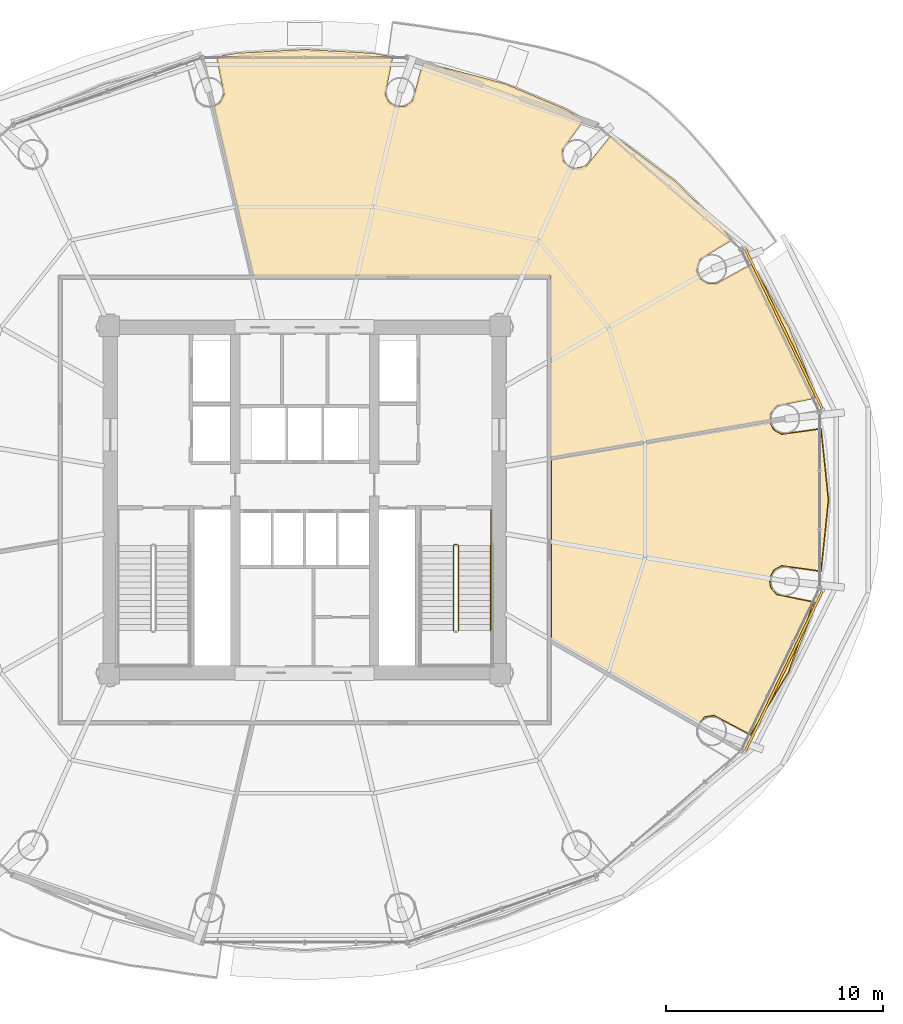
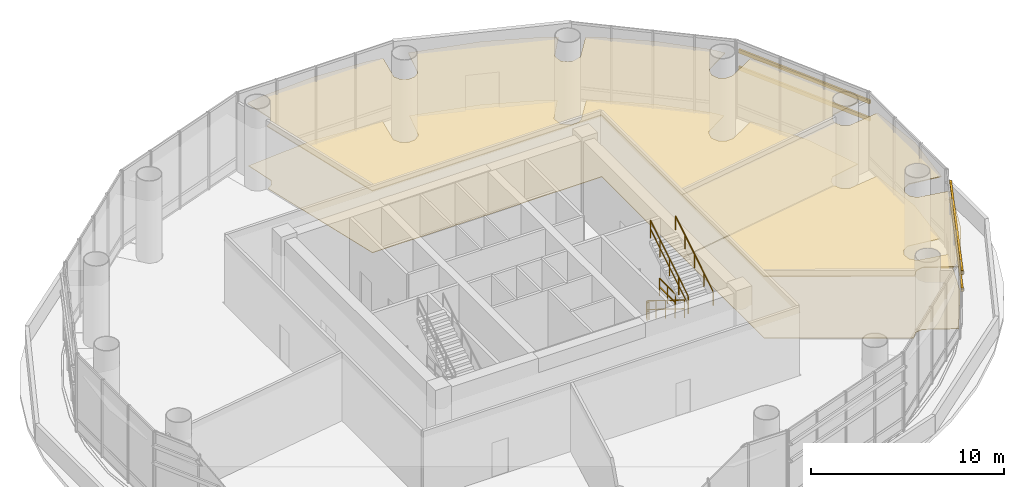
# One storey, part 28 of 29: 5 railings, 4 coverings, 4 shading devices.
"""IFC4 building model written with IfcOpenShell, lengths in metres."""

from ifc_helpers import new_model, si_unit, direction, frame, origin, origin_2d, place, context, subcontext, project, spatial, polyline, rectangle, hollow_rectangle, outline, extrude, source, transform, mapped, material, layer, layer_set, material_profile, profile_set, type_object, element, save


model = new_model("IFC4")

# Units and contexts
model_context = context("Model", 3, precision=1e-05, world=origin(), true_north=direction((-0.2419218956, 0.970295726276)))
body_context = subcontext(model_context, "Body", "Model", "MODEL_VIEW")
ifc_project = project(units=[si_unit("LENGTHUNIT", "METRE"), si_unit("AREAUNIT", "SQUARE_METRE"), si_unit("VOLUMEUNIT", "CUBIC_METRE"), si_unit("PLANEANGLEUNIT", "RADIAN"), si_unit("MASSUNIT", "GRAM", prefix="KILO")], contexts=[model_context])

# Site, building, storey
site_placement = place(None, origin())
site = spatial("IfcSite", under=ifc_project, at=site_placement, CompositionType="ELEMENT")
building_placement = place(site_placement, origin())
building = spatial("IfcBuilding", under=site, at=building_placement, Name="Cobrevalo Terracotta Tower", CompositionType="ELEMENT")
storey_placement = place(building_placement, frame((0.0, 0.0, 130.199951171875)))
storey = spatial("IfcBuildingStorey", under=building, at=storey_placement, Name="L34", CompositionType="ELEMENT", Elevation=130.199951171875)

# Coverings
ifc_material_1 = material(Name="Honed terracotta and granite tile", Category="masonry")
ifc_layer_1 = layer(ifc_material_1, 0.034912109375)
ifc_layer_set_1 = layer_set([ifc_layer_1], Name="Honed terracotta and granite tile")
covering_type_1 = type_object("IfcCoveringType", Name="Honed Terracotta & Granite Interior Flooring 35", PredefinedType="FLOORING", material=ifc_layer_set_1)
covering_1_placement = place(storey_placement, origin())
element("IfcCovering", 1, at=covering_1_placement, inside=storey, type_object=covering_type_1, Name="L34 Sky Transfer Lounge floor finish", PredefinedType="FLOORING", context=body_context, shape_type="SweptSolid", body=[
    extrude(outline(polyline([(38.0, 47.5), (42.012451171875, 47.1748046875), (41.6689453125, 45.462158203125), (41.858642578125, 45.07666015625), (42.23046875, 44.861328125), (42.6591796875, 44.88916015625), (43.00048828125, 45.150390625), (43.473876953125, 46.925048828125), (47.2236328125, 45.923828125), (50.051025390625, 44.72607421875), (50.81689453125, 44.286376953125), (49.815673828125, 42.9228515625), (49.8828125, 42.3603515625), (50.327880859375, 42.01025390625), (50.757568359375, 42.01904296875), (51.00927734375, 42.160400390625), (52.1142578125, 43.541748046875), (52.67236328125, 43.2216796875), (55.042236328125, 41.43603515625), (57.12060546875, 39.400146484375), (57.606201171875, 38.776123046875), (56.165771484375, 37.89404296875), (56.01513671875, 37.34814453125), (56.189697265625, 36.955322265625), (56.552734375, 36.725830078125), (56.982177734375, 36.736572265625), (58.5244140625, 37.595458984375), (58.871826171875, 37.14892578125), (60.265869140625, 34.720458984375), (61.42919921875, 31.508056640625), (59.7236328125, 31.1630859375), (59.44140625, 30.8388671875), (59.382568359375, 30.47607421875), (49.35498046875, 28.76171875), (49.35498046875, 37.155029296875), (35.6240234375, 37.155029296875), (33.83544921875, 44.8837890625), (34.141357421875, 45.07666015625), (34.3310546875, 45.462158203125), (33.987548828125, 47.1748046875), (38.0, 47.5)])), origin(), (0.0, 0.0, 1.0), 0.030029296875),
])
covering_2_placement = place(storey_placement, origin())
element("IfcCovering", 2, at=covering_2_placement, inside=storey, type_object=covering_type_1, Name="L34 Concierge Pantry Store floor finish", PredefinedType="FLOORING", context=body_context, shape_type="SweptSolid", body=[
    extrude(outline(polyline([(60.265869140625, 18.87939453125), (58.5244140625, 16.004638671875), (56.8408203125, 16.895263671875), (56.417236328125, 16.822021484375), (56.070068359375, 16.4453125), (49.35498046875, 20.3017578125), (49.35498046875, 28.720947265625), (59.388427734375, 30.436279296875), (59.578369140625, 30.028076171875), (59.951416015625, 29.814697265625), (61.763671875, 30.063720703125), (62.099853515625, 26.800048828125), (61.763671875, 23.536376953125), (59.951416015625, 23.785400390625), (59.578369140625, 23.572021484375), (59.386962890625, 23.187255859375), (59.44140625, 22.760986328125), (59.7236328125, 22.43701171875), (61.42919921875, 22.091796875), (60.265869140625, 18.87939453125)])), origin(), (0.0, 0.0, 1.0), 0.030029296875),
])
ifc_material_2 = material(Name="Acoustic perforated gypsum ceiling", Category="gypsum")
ifc_layer_2 = layer(ifc_material_2, 0.050048828125)
ifc_layer_set_2 = layer_set([ifc_layer_2], Name="Acoustic perforated gypsum ceiling")
covering_type_2 = type_object("IfcCoveringType", Name="Perforated Acoustic Gypsum Ceiling 50", PredefinedType="CEILING", material=ifc_layer_set_2)
covering_3_placement = place(storey_placement, frame((0.0, 0.0, 3.93994140625)))
element("IfcCovering", 3, at=covering_3_placement, inside=storey, type_object=covering_type_2, Name="L34 Sky Transfer Lounge acoustic ceiling", PredefinedType="CEILING", context=body_context, shape_type="SweptSolid", body=[
    extrude(outline(polyline([(38.0, 47.544921875), (41.151123046875, 47.36767578125), (42.067138671875, 47.211181640625), (41.713623046875, 45.469482421875), (41.8916015625, 45.107421875), (42.24072265625, 44.905517578125), (42.643310546875, 44.931396484375), (42.963623046875, 45.1767578125), (43.439697265625, 46.9765625), (47.23876953125, 45.96630859375), (50.071044921875, 44.7666015625), (50.884521484375, 44.299560546875), (49.859130859375, 42.91064453125), (49.922119140625, 42.382568359375), (50.340087890625, 42.0537109375), (50.97998046875, 42.194580078125), (52.10302734375, 43.600341796875), (52.697021484375, 43.25927734375), (55.07177734375, 41.47021484375), (57.154296875, 39.43017578125), (57.673583984375, 38.7626953125), (56.201416015625, 37.8662109375), (56.06005859375, 37.353515625), (56.223876953125, 36.98486328125), (56.564697265625, 36.769287109375), (56.968017578125, 36.779541015625), (58.5361328125, 37.65380859375), (58.909423828125, 37.174072265625), (60.306640625, 34.739990234375), (61.322021484375, 32.170166015625), (61.48388671875, 31.4716796875), (59.74755859375, 31.124755859375), (59.482666015625, 30.8203125), (59.43017578125, 30.4384765625), (49.31005859375, 28.708251953125), (49.31005859375, 37.110107421875), (35.58837890625, 37.110107421875), (33.782470703125, 44.913330078125), (34.1083984375, 45.107421875), (34.286376953125, 45.469482421875), (33.932861328125, 47.211181640625), (34.848876953125, 47.36767578125), (38.0, 47.544921875)])), origin(), (0.0, 0.0, 1.0), 0.050048828125),
])
covering_4_placement = place(storey_placement, frame((0.0, 0.0, 3.93994140625)))
element("IfcCovering", 4, at=covering_4_placement, inside=storey, type_object=covering_type_2, Name="L34 Concierge Pantry Store acoustic ceiling", PredefinedType="CEILING", context=body_context, shape_type="SweptSolid", body=[
    extrude(outline(polyline([(60.306640625, 18.85986328125), (58.5361328125, 15.9462890625), (56.835205078125, 16.850341796875), (56.437744140625, 16.78173828125), (56.091064453125, 16.381591796875), (49.31005859375, 20.27587890625), (49.31005859375, 28.759033203125), (59.423095703125, 30.488037109375), (59.611328125, 30.05908203125), (59.96142578125, 29.858642578125), (61.7978515625, 30.115234375), (62.14501953125, 26.800048828125), (61.7978515625, 23.48486328125), (59.96142578125, 23.7412109375), (59.611328125, 23.541015625), (59.431640625, 23.1796875), (59.482666015625, 22.779541015625), (59.74755859375, 22.475341796875), (61.48388671875, 22.128173828125), (61.322021484375, 21.429931640625), (60.306640625, 18.85986328125)])), origin(), (0.0, 0.0, 1.0), 0.050048828125),
])

# Railings
ifc_material_3 = material(Name="Brushed stainless steel", Category="steel")
railing_type_1 = type_object("IfcRailingType", Name="Stainless Steel Stair Handrail 900", PredefinedType="HANDRAIL", material=ifc_material_3)
railing_1_placement = place(storey_placement, frame((46.574951171875, 20.780029296875, 2.7734375)))
element("IfcRailing", 5, at=railing_1_placement, inside=storey, type_object=railing_type_1, Name="L34 ST-2 stair handrail 2", PredefinedType="HANDRAIL", context=body_context, shape_type="SweptSolid", body=[
    extrude(rectangle(XDim=0.048095703125, YDim=0.048095703125, at=origin_2d()), frame((0.0, 0.0, 0.8759765625), z_axis=(0.0, 0.850275303828, 0.526338206574), x_axis=(-1.0, 0.0, 0.0)), (0.0, 0.0, 1.0), 4.610107421875),
    extrude(rectangle(XDim=0.0419921875, YDim=0.0419921875, at=origin_2d()), origin(), (0.0, 0.0, 1.0), 0.851806640625),
    extrude(rectangle(XDim=0.0419921875, YDim=0.0419921875, at=origin_2d()), frame((0.0, 0.97998046875, 0.606689453125)), (0.0, 0.0, 1.0), 0.851806640625),
    extrude(rectangle(XDim=0.0419921875, YDim=0.0419921875, at=origin_2d()), frame((0.0, 1.9599609375, 1.21337890625)), (0.0, 0.0, 1.0), 0.851806640625),
    extrude(rectangle(XDim=0.0419921875, YDim=0.0419921875, at=origin_2d()), frame((0.0, 2.93994140625, 1.81982421875)), (0.0, 0.0, 1.0), 0.851806640625),
    extrude(rectangle(XDim=0.0419921875, YDim=0.0419921875, at=origin_2d()), frame((0.0, 3.919921875, 2.426513671875)), (0.0, 0.0, 1.0), 0.851806640625),
])
ifc_material_4 = material(Name="Painted galvanized steel", Category="steel")
railing_type_2 = type_object("IfcRailingType", Name="Stair Well Guard Balustrade 1150", PredefinedType="GUARDRAIL", material=ifc_material_4)
railing_2_placement = place(storey_placement, frame((44.85498046875, 24.699951171875, 0.17333984375)))
element("IfcRailing", 6, at=railing_2_placement, inside=storey, type_object=railing_type_2, Name="L34 ST-2 stair guard 1", PredefinedType="GUARDRAIL", context=body_context, shape_type="SweptSolid", body=[
    extrude(rectangle(XDim=0.048095703125, YDim=0.048095703125, at=origin_2d()), frame((0.0, 0.0, 1.1259765625), z_axis=(0.0, -0.850251603719, 0.526376491091), x_axis=(1.0, 0.0, 0.0)), (0.0, 0.0, 1.0), 4.6103515625),
    extrude(rectangle(XDim=0.048095703125, YDim=0.048095703125, at=origin_2d()), frame((0.0, 0.0, 0.574951171875), z_axis=(0.0, -0.850251603719, 0.526376491091), x_axis=(1.0, 0.0, 0.0)), (0.0, 0.0, 1.0), 4.6103515625),
    extrude(rectangle(XDim=0.0419921875, YDim=0.0419921875, at=origin_2d()), origin(), (0.0, 0.0, 1.0), 1.101806640625),
    extrude(rectangle(XDim=0.0419921875, YDim=0.0419921875, at=origin_2d()), frame((0.0, -0.97998046875, 0.606689453125)), (0.0, 0.0, 1.0), 1.101806640625),
    extrude(rectangle(XDim=0.0419921875, YDim=0.0419921875, at=origin_2d()), frame((0.0, -1.9599609375, 1.21337890625)), (0.0, 0.0, 1.0), 1.101806640625),
    extrude(rectangle(XDim=0.0419921875, YDim=0.0419921875, at=origin_2d()), frame((0.0, -2.93994140625, 1.820068359375)), (0.0, 0.0, 1.0), 1.101806640625),
    extrude(rectangle(XDim=0.0419921875, YDim=0.0419921875, at=origin_2d()), frame((0.0, -3.919921875, 2.4267578125)), (0.0, 0.0, 1.0), 1.101806640625),
])
railing_3_placement = place(storey_placement, frame((45.074951171875, 20.780029296875, 2.7734375)))
element("IfcRailing", 7, at=railing_3_placement, inside=storey, type_object=railing_type_2, Name="L34 ST-2 stair guard 6", PredefinedType="GUARDRAIL", context=body_context, shape_type="SweptSolid", body=[
    extrude(rectangle(XDim=0.048095703125, YDim=0.048095703125, at=origin_2d()), frame((0.0, 0.0, 1.1259765625), z_axis=(0.0, 0.850275303828, 0.526338206574), x_axis=(-1.0, 0.0, 0.0)), (0.0, 0.0, 1.0), 4.610107421875),
    extrude(rectangle(XDim=0.048095703125, YDim=0.048095703125, at=origin_2d()), frame((0.0, 0.0, 0.574951171875), z_axis=(0.0, 0.850275303828, 0.526338206574), x_axis=(-1.0, 0.0, 0.0)), (0.0, 0.0, 1.0), 4.610107421875),
    extrude(rectangle(XDim=0.0419921875, YDim=0.0419921875, at=origin_2d()), origin(), (0.0, 0.0, 1.0), 1.101806640625),
    extrude(rectangle(XDim=0.0419921875, YDim=0.0419921875, at=origin_2d()), frame((0.0, 0.97998046875, 0.606689453125)), (0.0, 0.0, 1.0), 1.101806640625),
    extrude(rectangle(XDim=0.0419921875, YDim=0.0419921875, at=origin_2d()), frame((0.0, 1.9599609375, 1.21337890625)), (0.0, 0.0, 1.0), 1.101806640625),
    extrude(rectangle(XDim=0.0419921875, YDim=0.0419921875, at=origin_2d()), frame((0.0, 2.93994140625, 1.81982421875)), (0.0, 0.0, 1.0), 1.101806640625),
    extrude(rectangle(XDim=0.0419921875, YDim=0.0419921875, at=origin_2d()), frame((0.0, 3.919921875, 2.426513671875)), (0.0, 0.0, 1.0), 1.101806640625),
])
railing_4_placement = place(storey_placement, frame((44.905029296875, 24.75, 0.0)))
element("IfcRailing", 8, at=railing_4_placement, inside=storey, type_object=railing_type_2, Name="L34 ST-2 stair guard 7", PredefinedType="GUARDRAIL", context=body_context, shape_type="SweptSolid", body=[
    extrude(rectangle(XDim=0.048095703125, YDim=0.048095703125, at=origin_2d()), frame((0.0, 0.0, 1.1259765625), z_axis=(1.0, 0.0, 0.0), x_axis=(0.0, 1.0, 0.0)), (0.0, 0.0, 1.0), 0.119873046875),
    extrude(rectangle(XDim=0.048095703125, YDim=0.048095703125, at=origin_2d()), frame((0.0, 0.0, 0.574951171875), z_axis=(1.0, 0.0, 0.0), x_axis=(0.0, 1.0, 0.0)), (0.0, 0.0, 1.0), 0.119873046875),
    extrude(rectangle(XDim=0.0419921875, YDim=0.0419921875, at=origin_2d()), origin(), (0.0, 0.0, 1.0), 1.101806640625),
    extrude(rectangle(XDim=0.0419921875, YDim=0.0419921875, at=origin_2d()), frame((0.119873046875, 0.0, 0.0)), (0.0, 0.0, 1.0), 1.101806640625),
])
railing_5_placement = place(storey_placement, frame((46.574951171875, 26.35009765625, 0.0)))
element("IfcRailing", 9, at=railing_5_placement, inside=storey, type_object=railing_type_2, Name="L34 ST-2 stair guard 9", PredefinedType="GUARDRAIL", context=body_context, shape_type="SweptSolid", body=[
    extrude(rectangle(XDim=0.048095703125, YDim=0.048095703125, at=origin_2d()), frame((0.0, 0.0, 1.1259765625), z_axis=(0.0, -1.0, 0.0), x_axis=(1.0, 0.0, 0.0)), (0.0, 0.0, 1.0), 1.650146484375),
    extrude(rectangle(XDim=0.048095703125, YDim=0.048095703125, at=origin_2d()), frame((0.0, 0.0, 0.574951171875), z_axis=(0.0, -1.0, 0.0), x_axis=(1.0, 0.0, 0.0)), (0.0, 0.0, 1.0), 1.650146484375),
    extrude(rectangle(XDim=0.0419921875, YDim=0.0419921875, at=origin_2d()), origin(), (0.0, 0.0, 1.0), 1.101806640625),
    extrude(rectangle(XDim=0.0419921875, YDim=0.0419921875, at=origin_2d()), frame((0.0, -0.8251953125, 0.0)), (0.0, 0.0, 1.0), 1.101806640625),
    extrude(rectangle(XDim=0.0419921875, YDim=0.0419921875, at=origin_2d()), frame((0.0, -1.650146484375, 0.0)), (0.0, 0.0, 1.0), 1.101806640625),
])

# Shading devices
ifc_material_5 = material(Name="Extruded fired architectural terracotta", Category="masonry")
ifc_material_profile = material_profile(ifc_material_5, hollow_rectangle(XDim=0.110107421875, YDim=0.239990234375, WallThickness=0.01806640625, at=origin_2d()), Name="BAGUETTE 110x240")
ifc_profile_set = profile_set([ifc_material_profile], Name="Extruded fired architectural terracotta")
shading_device_type = type_object("IfcShadingDeviceType", Name="Horizontal Terracotta Baguette Screen 110x240", PredefinedType="USERDEFINED", material=ifc_profile_set)
shared_shape = source(origin(), body_context, "Body", "SweptSolid", [
    extrude(hollow_rectangle(XDim=0.110107421875, YDim=0.239990234375, WallThickness=0.01806640625, at=origin_2d()), origin(), (0.0, 0.0, 1.0), 8.2314453125),
])
for number, where, z_axis, x_axis, name in (
    (10, (61.850341796875, 30.96630859375, 3.056640625), (-0.434211518054, 0.900810944421, 0.0), (-0.900810944421, -0.434211518054, 0.0), "CW-SK-L34-S01 horizontal terracotta baguette 1"),
    (11, (61.850341796875, 30.96630859375, 4.141357421875), (-0.434211518054, 0.900810944421, 0.0), (-0.900810944421, -0.434211518054, 0.0), "CW-SK-L34-S01 horizontal terracotta baguette 2"),
    (12, (58.276123046875, 15.21875, 3.056640625), (0.434211518054, 0.900810944421, 0.0), (-0.900810944421, 0.434211518054, 0.0), "CW-SK-L34-S15 horizontal terracotta baguette 1"),
    (13, (58.276123046875, 15.21875, 4.141357421875), (0.434211518054, 0.900810944421, 0.0), (-0.900810944421, 0.434211518054, 0.0), "CW-SK-L34-S15 horizontal terracotta baguette 2"),
):
    element("IfcShadingDevice", number, at=place(storey_placement, frame(where, z_axis=z_axis, x_axis=x_axis)), inside=storey, type_object=shading_device_type, Name=name, ObjectType="BAGUETTE", PredefinedType="USERDEFINED", context=body_context, shape_type="MappedRepresentation", body=[
        mapped(shared_shape, transform((0.0, 0.0, 0.0), scale=1.0)),
    ])

save(model, "model.ifc")
